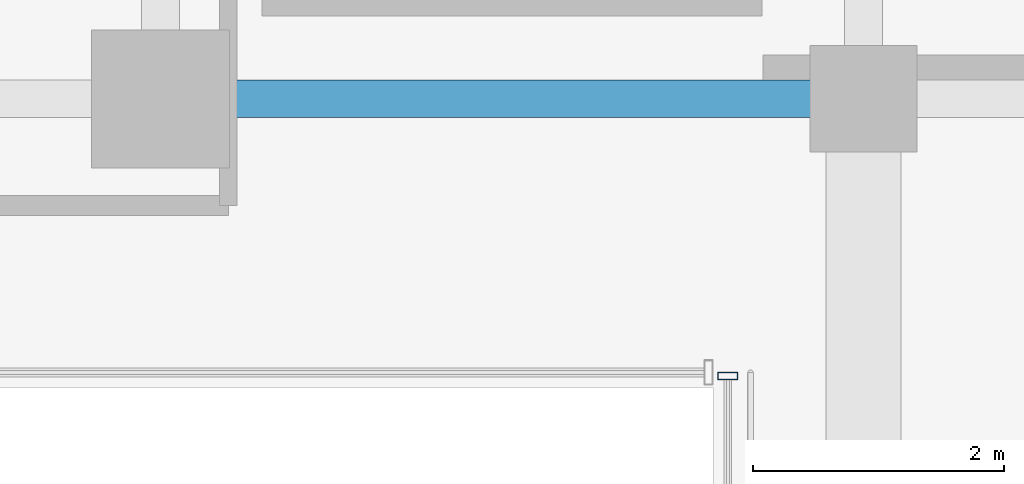
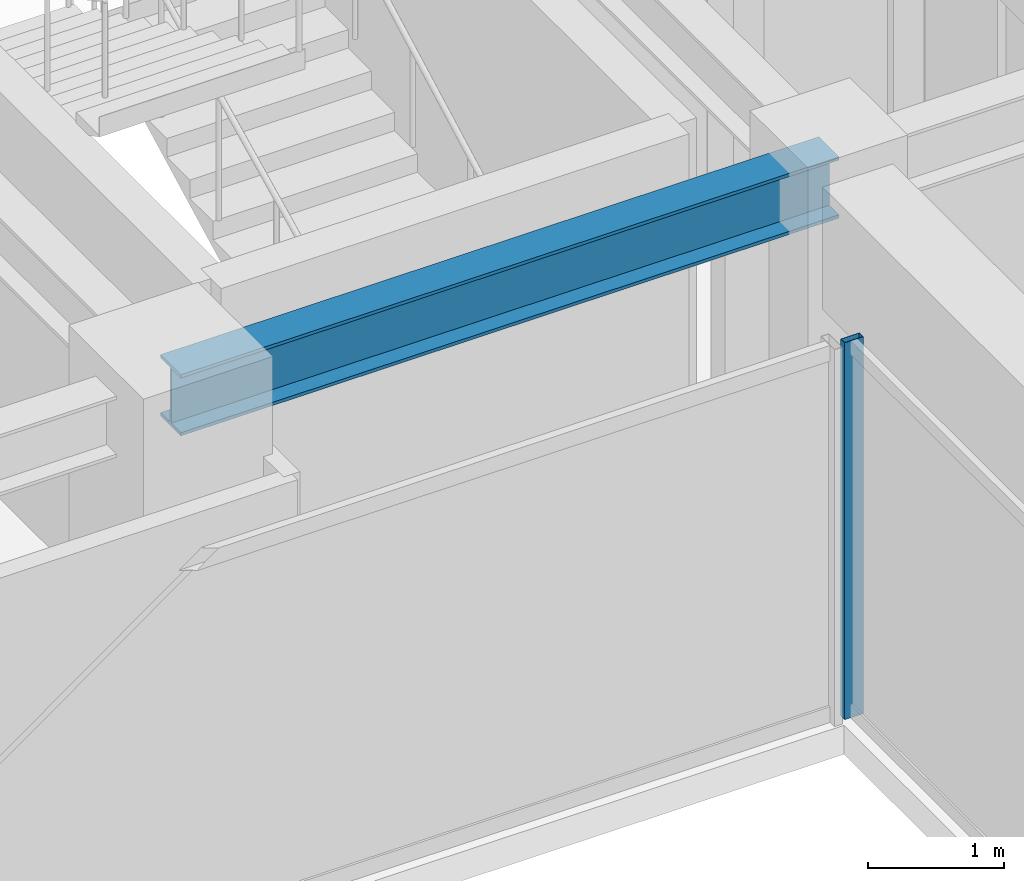
# One storey, part 12 of 38: 1 beam, 1 member, 1 element without a shape of its own.
"""IFC4 building model written with IfcOpenShell, lengths in metres."""

from ifc_helpers import new_model, si_unit, direction, frame, origin, origin_2d, place, context, subcontext, project, spatial, hollow_rectangle, i_section, extrude, source, transform, mapped, material, material_profile, profile_set, type_object, element, aggregate, save


model = new_model("IFC4")

# Units and contexts
model_context = context("Model", 3, precision=1e-05, world=origin(), true_north=direction((0.0, 1.0)))
body_context = subcontext(model_context, "Body", "Model", "MODEL_VIEW")
ifc_project = project(units=[si_unit("LENGTHUNIT", "METRE"), si_unit("AREAUNIT", "SQUARE_METRE"), si_unit("VOLUMEUNIT", "CUBIC_METRE"), si_unit("PLANEANGLEUNIT", "RADIAN"), si_unit("MASSUNIT", "GRAM", prefix="KILO")], contexts=[model_context])

# Site, building, storey
site_placement = place(None, origin())
site = spatial("IfcSite", under=ifc_project, at=site_placement, CompositionType="ELEMENT")
building_placement = place(site_placement, origin())
building = spatial("IfcBuilding", under=site, at=building_placement, Name="Nahalor Promenade Grand Hotel", CompositionType="ELEMENT")
storey_placement = place(building_placement, frame((0.0, 0.0, 178.199951171875)))
storey = spatial("IfcBuildingStorey", under=building, at=storey_placement, Name="L45", CompositionType="ELEMENT", Elevation=178.199951171875)

# Beam
ifc_material_1 = material(Name="Steel S355JR", Category="steel")
ifc_material_profile_1 = material_profile(ifc_material_1, i_section(OverallWidth=0.3, OverallDepth=0.55, WebThickness=0.015, FlangeThickness=0.029, at=origin_2d()), Name="HEB 550")
ifc_profile_set_1 = profile_set([ifc_material_profile_1], Name="Steel S355JR")
beam_type = type_object("IfcBeamType", Name="Beam-Girder-HEB550", PredefinedType="BEAM", material=ifc_profile_set_1)
shared_shape_1 = source(origin(), body_context, "Body", "SweptSolid", [
    extrude(i_section(OverallWidth=0.3, OverallDepth=0.55, WebThickness=0.015, FlangeThickness=0.029, at=origin_2d()), origin(), (0.0, 0.0, 1.0), 5.599853515625),
])
beam_placement = place(storey_placement, frame((2.800048828125, 5.39990234375, 3.114990234375), z_axis=(1.0, 0.0, 0.0), x_axis=(0.0, 1.0, 0.0)))
element("IfcBeam", 1, at=beam_placement, inside=storey, type_object=beam_type, Name="BM-L45-GX-2-4", PredefinedType="BEAM", context=body_context, shape_type="MappedRepresentation", body=[
    mapped(shared_shape_1, transform((0.0, 0.0, 0.0), scale=1.0)),
])

# Curtain wall, member
ifc_material_2 = material(Name="Anodised Bronze Aluminium EN AW-6063 T6", Category="aluminium")
curtain_wall_type = type_object("IfcCurtainWallType", Name="CW4 Low-Iron Sky-Gallery Bridge Curtain Wall", PredefinedType="USERDEFINED", material=ifc_material_2)
curtain_wall_placement = place(storey_placement, origin())
curtain_wall = element("IfcCurtainWall", 2, at=curtain_wall_placement, inside=storey, type_object=curtain_wall_type, Name="L45 Curtain Wall CW-L45-BRG-W", ObjectType="UNITISED_CURTAIN_WALL", PredefinedType="USERDEFINED")
ifc_material_profile_2 = material_profile(ifc_material_2, hollow_rectangle(XDim=0.06, YDim=0.16, WallThickness=0.004, at=origin_2d()), Name="CWM 60x160x4")
ifc_profile_set_2 = profile_set([ifc_material_profile_2], Name="Anodised Bronze Aluminium EN AW-6063 T6")
member_type = type_object("IfcMemberType", Name="CWM4 Sky-Gallery Slim Mullion 60x160", PredefinedType="MULLION", material=ifc_profile_set_2)
shared_shape_2 = source(origin(), body_context, "Body", "SweptSolid", [
    extrude(hollow_rectangle(XDim=0.06, YDim=0.16, WallThickness=0.004, at=origin_2d()), origin(), (0.0, 0.0, 1.0), 3.39013671875),
])
member_placement = place(storey_placement, frame((7.320068359375, 3.18994140625, 0.0), z_axis=(0.0, 0.0, 1.0), x_axis=(0.0, 1.0, 0.0)))
member = element("IfcMember", 3, at=member_placement, type_object=member_type, Name="CW-L45-BRG-W Mullion 1", PredefinedType="MULLION", context=body_context, shape_type="MappedRepresentation", body=[
    mapped(shared_shape_2, transform((0.0, 0.0, 0.0), scale=1.0)),
])
aggregate(curtain_wall, [member])

save(model, "model.ifc")
